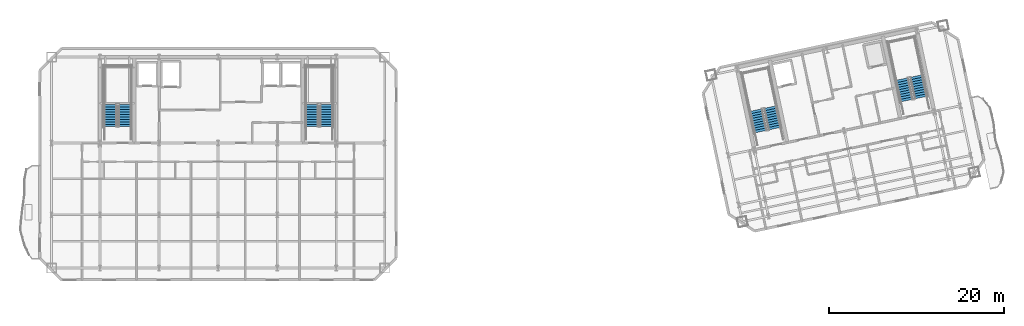
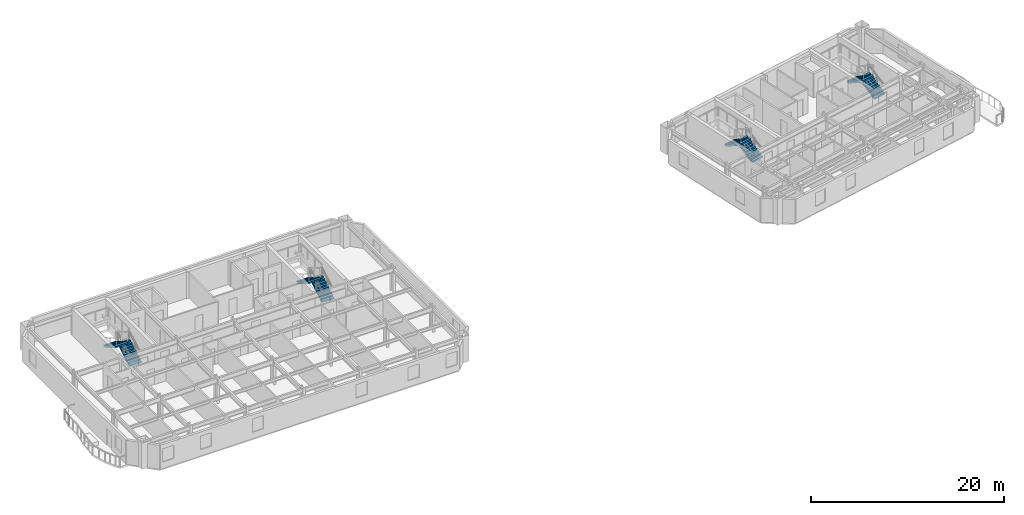
# One storey, part 9 of 14: 8 stair flights, 4 elements without a shape of their own.
"""IFC4 building model written with IfcOpenShell, lengths in metres."""

from ifc_helpers import new_model, si_unit, direction, frame, origin, place, context, subcontext, project, spatial, polyline, outline, extrude, material, type_object, element, aggregate, save


model = new_model("IFC4")

# Units and contexts
model_context = context("Model", 3, precision=1e-05, world=origin(), true_north=direction((0.0, 1.0)))
body_context = subcontext(model_context, "Body", "Model", "MODEL_VIEW")
ifc_project = project(units=[si_unit("LENGTHUNIT", "METRE"), si_unit("AREAUNIT", "SQUARE_METRE"), si_unit("VOLUMEUNIT", "CUBIC_METRE"), si_unit("PLANEANGLEUNIT", "RADIAN"), si_unit("MASSUNIT", "GRAM", prefix="KILO")], contexts=[model_context])

# Site, building, storey
site_placement = place(None, origin())
site = spatial("IfcSite", under=ifc_project, at=site_placement, CompositionType="ELEMENT")
building_placement = place(site_placement, origin())
building = spatial("IfcBuilding", under=site, at=building_placement, Name="Haevon Station Towers", CompositionType="ELEMENT")
storey_placement = place(building_placement, frame((0.0, 0.0, 205.5)))
storey = spatial("IfcBuildingStorey", under=building, at=storey_placement, Name="L56", CompositionType="ELEMENT", Elevation=205.5)

# Stair, stair flights
ifc_material = material(Name="Concrete C40/50", Category="concrete")
stair_type = type_object("IfcStairType", Name="STR-DL1450", PredefinedType="USERDEFINED", material=ifc_material)
stair_1_placement = place(storey_placement, origin())
stair_1 = element("IfcStair", 1, at=stair_1_placement, inside=storey, type_object=stair_type, Name="L56 Escape Stair ST1", ObjectType="TWO_RETURN_STAIR", PredefinedType="USERDEFINED")
stair_flight_type = type_object("IfcStairFlightType", Name="STF-ST1450", PredefinedType="STRAIGHT", material=ifc_material)
stair_flight_1_placement = place(storey_placement, frame((26.85498046875, 40.050048828125, 0.0), z_axis=(0.0, 0.0, 1.0), x_axis=(0.0, 1.0, 0.0)))
stair_flight_1 = element("IfcStairFlight", 2, at=stair_flight_1_placement, type_object=stair_flight_type, Name="L56 ST1 Flight 1", NumberOfRisers=10, NumberOfTreads=9, PredefinedType="STRAIGHT", RiserHeight=0.165, TreadLength=0.28, context=body_context, shape_type="SweptSolid", body=[
    extrude(outline(polyline([(0.0, 0.0), (0.0, 0.1650390625), (0.280029296875, 0.1650390625), (0.280029296875, 0.330078125), (0.56005859375, 0.330078125), (0.56005859375, 0.4951171875), (0.840087890625, 0.4951171875), (0.840087890625, 0.659912109375), (1.1201171875, 0.659912109375), (1.1201171875, 0.824951171875), (1.39990234375, 0.824951171875), (1.39990234375, 0.989990234375), (1.679931640625, 0.989990234375), (1.679931640625, 1.155029296875), (1.9599609375, 1.155029296875), (1.9599609375, 1.320068359375), (2.239990234375, 1.320068359375), (2.239990234375, 1.485107421875), (2.52001953125, 1.485107421875), (2.52001953125, 1.64990234375), (2.52001953125, 1.29931640625), (0.31494140625, 0.0), (0.0, 0.0)])), frame((0.0, 0.72509765625, 0.0), z_axis=(0.0, -1.0, 0.0), x_axis=(1.0, 0.0, 0.0)), (0.0, 0.0, 1.0), 1.449951171875),
])
stair_flight_2_placement = place(storey_placement, frame((25.205078125, 42.570068359375, 1.64990234375), z_axis=(0.0, 0.0, 1.0), x_axis=(0.0, -1.0, 0.0)))
stair_flight_2 = element("IfcStairFlight", 3, at=stair_flight_2_placement, type_object=stair_flight_type, Name="L56 ST1 Flight 2", NumberOfRisers=10, NumberOfTreads=9, PredefinedType="STRAIGHT", RiserHeight=0.165, TreadLength=0.28, context=body_context, shape_type="SweptSolid", body=[
    extrude(outline(polyline([(0.0, 0.0), (0.0, 0.1650390625), (0.280029296875, 0.1650390625), (0.280029296875, 0.330078125), (0.56005859375, 0.330078125), (0.56005859375, 0.4951171875), (0.840087890625, 0.4951171875), (0.840087890625, 0.659912109375), (1.1201171875, 0.659912109375), (1.1201171875, 0.824951171875), (1.39990234375, 0.824951171875), (1.39990234375, 0.989990234375), (1.679931640625, 0.989990234375), (1.679931640625, 1.155029296875), (1.9599609375, 1.155029296875), (1.9599609375, 1.320068359375), (2.239990234375, 1.320068359375), (2.239990234375, 1.485107421875), (2.52001953125, 1.485107421875), (2.52001953125, 1.64990234375), (2.52001953125, 1.29931640625), (0.31494140625, 0.0), (0.0, 0.0)])), frame((0.0, 0.72509765625, 0.0), z_axis=(0.0, -1.0, 0.0), x_axis=(1.0, 0.0, 0.0)), (0.0, 0.0, 1.0), 1.449951171875),
])
aggregate(stair_1, [stair_flight_1, stair_flight_2])

stair_2_placement = place(storey_placement, origin())
stair_2 = element("IfcStair", 4, at=stair_2_placement, inside=storey, type_object=stair_type, Name="L56 Escape Stair ST2", ObjectType="TWO_RETURN_STAIR", PredefinedType="USERDEFINED")
stair_flight_3_placement = place(storey_placement, frame((49.89501953125, 40.050048828125, 0.0), z_axis=(0.0, 0.0, 1.0), x_axis=(0.0, 1.0, 0.0)))
stair_flight_3 = element("IfcStairFlight", 5, at=stair_flight_3_placement, type_object=stair_flight_type, Name="L56 ST2 Flight 1", NumberOfRisers=10, NumberOfTreads=9, PredefinedType="STRAIGHT", RiserHeight=0.165, TreadLength=0.28, context=body_context, shape_type="SweptSolid", body=[
    extrude(outline(polyline([(0.0, 0.0), (0.0, 0.1650390625), (0.280029296875, 0.1650390625), (0.280029296875, 0.330078125), (0.56005859375, 0.330078125), (0.56005859375, 0.4951171875), (0.840087890625, 0.4951171875), (0.840087890625, 0.659912109375), (1.1201171875, 0.659912109375), (1.1201171875, 0.824951171875), (1.39990234375, 0.824951171875), (1.39990234375, 0.989990234375), (1.679931640625, 0.989990234375), (1.679931640625, 1.155029296875), (1.9599609375, 1.155029296875), (1.9599609375, 1.320068359375), (2.239990234375, 1.320068359375), (2.239990234375, 1.485107421875), (2.52001953125, 1.485107421875), (2.52001953125, 1.64990234375), (2.52001953125, 1.29931640625), (0.31494140625, 0.0), (0.0, 0.0)])), frame((0.0, 0.72509765625, 0.0), z_axis=(0.0, -1.0, 0.0), x_axis=(1.0, 0.0, 0.0)), (0.0, 0.0, 1.0), 1.449951171875),
])
stair_flight_4_placement = place(storey_placement, frame((48.2451171875, 42.570068359375, 1.64990234375), z_axis=(0.0, 0.0, 1.0), x_axis=(0.0, -1.0, 0.0)))
stair_flight_4 = element("IfcStairFlight", 6, at=stair_flight_4_placement, type_object=stair_flight_type, Name="L56 ST2 Flight 2", NumberOfRisers=10, NumberOfTreads=9, PredefinedType="STRAIGHT", RiserHeight=0.165, TreadLength=0.28, context=body_context, shape_type="SweptSolid", body=[
    extrude(outline(polyline([(0.0, 0.0), (0.0, 0.1650390625), (0.280029296875, 0.1650390625), (0.280029296875, 0.330078125), (0.56005859375, 0.330078125), (0.56005859375, 0.4951171875), (0.840087890625, 0.4951171875), (0.840087890625, 0.659912109375), (1.1201171875, 0.659912109375), (1.1201171875, 0.824951171875), (1.39990234375, 0.824951171875), (1.39990234375, 0.989990234375), (1.679931640625, 0.989990234375), (1.679931640625, 1.155029296875), (1.9599609375, 1.155029296875), (1.9599609375, 1.320068359375), (2.239990234375, 1.320068359375), (2.239990234375, 1.485107421875), (2.52001953125, 1.485107421875), (2.52001953125, 1.64990234375), (2.52001953125, 1.29931640625), (0.31494140625, 0.0), (0.0, 0.0)])), frame((0.0, 0.72509765625, 0.0), z_axis=(0.0, -1.0, 0.0), x_axis=(1.0, 0.0, 0.0)), (0.0, 0.0, 1.0), 1.449951171875),
])
aggregate(stair_2, [stair_flight_3, stair_flight_4])

stair_3_placement = place(storey_placement, origin())
stair_3 = element("IfcStair", 7, at=stair_3_placement, inside=storey, type_object=stair_type, Name="L56 Escape Stair ST3", ObjectType="TWO_RETURN_STAIR", PredefinedType="USERDEFINED")
stair_flight_5_placement = place(storey_placement, frame((101.1015625, 39.8330078125, 0.0), z_axis=(0.0, 0.0, 1.0), x_axis=(-0.207911690818, 0.978147600734, 0.0)))
stair_flight_5 = element("IfcStairFlight", 8, at=stair_flight_5_placement, type_object=stair_flight_type, Name="L56 ST3 Flight 1", NumberOfRisers=10, NumberOfTreads=9, PredefinedType="STRAIGHT", RiserHeight=0.165, TreadLength=0.28, context=body_context, shape_type="SweptSolid", body=[
    extrude(outline(polyline([(0.0, 0.0), (0.0, 0.1650390625), (0.280029296875, 0.1650390625), (0.280029296875, 0.330078125), (0.56005859375, 0.330078125), (0.56005859375, 0.4951171875), (0.840087890625, 0.4951171875), (0.840087890625, 0.659912109375), (1.1201171875, 0.659912109375), (1.1201171875, 0.824951171875), (1.39990234375, 0.824951171875), (1.39990234375, 0.989990234375), (1.679931640625, 0.989990234375), (1.679931640625, 1.155029296875), (1.9599609375, 1.155029296875), (1.9599609375, 1.320068359375), (2.239990234375, 1.320068359375), (2.239990234375, 1.485107421875), (2.52001953125, 1.485107421875), (2.52001953125, 1.64990234375), (2.52001953125, 1.29931640625), (0.31494140625, 0.0), (0.0, 0.0)])), frame((0.0, 0.72509765625, 0.0), z_axis=(0.0, -1.0, 0.0), x_axis=(1.0, 0.0, 0.0)), (0.0, 0.0, 1.0), 1.449951171875),
])
stair_flight_6_placement = place(storey_placement, frame((98.9638671875, 41.955078125, 1.64990234375), z_axis=(0.0, 0.0, 1.0), x_axis=(0.207911690818, -0.978147600734, 0.0)))
stair_flight_6 = element("IfcStairFlight", 9, at=stair_flight_6_placement, type_object=stair_flight_type, Name="L56 ST3 Flight 2", NumberOfRisers=10, NumberOfTreads=9, PredefinedType="STRAIGHT", RiserHeight=0.165, TreadLength=0.28, context=body_context, shape_type="SweptSolid", body=[
    extrude(outline(polyline([(0.0, 0.0), (0.0, 0.1650390625), (0.280029296875, 0.1650390625), (0.280029296875, 0.330078125), (0.56005859375, 0.330078125), (0.56005859375, 0.4951171875), (0.840087890625, 0.4951171875), (0.840087890625, 0.659912109375), (1.1201171875, 0.659912109375), (1.1201171875, 0.824951171875), (1.39990234375, 0.824951171875), (1.39990234375, 0.989990234375), (1.679931640625, 0.989990234375), (1.679931640625, 1.155029296875), (1.9599609375, 1.155029296875), (1.9599609375, 1.320068359375), (2.239990234375, 1.320068359375), (2.239990234375, 1.485107421875), (2.52001953125, 1.485107421875), (2.52001953125, 1.64990234375), (2.52001953125, 1.29931640625), (0.31494140625, 0.0), (0.0, 0.0)])), frame((0.0, 0.72509765625, 0.0), z_axis=(0.0, -1.0, 0.0), x_axis=(1.0, 0.0, 0.0)), (0.0, 0.0, 1.0), 1.449951171875),
])
aggregate(stair_3, [stair_flight_5, stair_flight_6])

stair_4_placement = place(storey_placement, origin())
stair_4 = element("IfcStair", 10, at=stair_4_placement, inside=storey, type_object=stair_type, Name="L56 Escape Stair ST4", ObjectType="TWO_RETURN_STAIR", PredefinedType="USERDEFINED")
stair_flight_7_placement = place(storey_placement, frame((117.788818359375, 43.380126953125, 0.0), z_axis=(0.0, 0.0, 1.0), x_axis=(-0.207911690818, 0.978147600734, 0.0)))
stair_flight_7 = element("IfcStairFlight", 11, at=stair_flight_7_placement, type_object=stair_flight_type, Name="L56 ST4 Flight 1", NumberOfRisers=10, NumberOfTreads=9, PredefinedType="STRAIGHT", RiserHeight=0.165, TreadLength=0.28, context=body_context, shape_type="SweptSolid", body=[
    extrude(outline(polyline([(0.0, 0.0), (0.0, 0.1650390625), (0.280029296875, 0.1650390625), (0.280029296875, 0.330078125), (0.56005859375, 0.330078125), (0.56005859375, 0.4951171875), (0.840087890625, 0.4951171875), (0.840087890625, 0.659912109375), (1.1201171875, 0.659912109375), (1.1201171875, 0.824951171875), (1.39990234375, 0.824951171875), (1.39990234375, 0.989990234375), (1.679931640625, 0.989990234375), (1.679931640625, 1.155029296875), (1.9599609375, 1.155029296875), (1.9599609375, 1.320068359375), (2.239990234375, 1.320068359375), (2.239990234375, 1.485107421875), (2.52001953125, 1.485107421875), (2.52001953125, 1.64990234375), (2.52001953125, 1.29931640625), (0.31494140625, 0.0), (0.0, 0.0)])), frame((0.0, 0.72509765625, 0.0), z_axis=(0.0, -1.0, 0.0), x_axis=(1.0, 0.0, 0.0)), (0.0, 0.0, 1.0), 1.449951171875),
])
stair_flight_8_placement = place(storey_placement, frame((115.65087890625, 45.501953125, 1.64990234375), z_axis=(0.0, 0.0, 1.0), x_axis=(0.207911690818, -0.978147600734, 0.0)))
stair_flight_8 = element("IfcStairFlight", 12, at=stair_flight_8_placement, type_object=stair_flight_type, Name="L56 ST4 Flight 2", NumberOfRisers=10, NumberOfTreads=9, PredefinedType="STRAIGHT", RiserHeight=0.165, TreadLength=0.28, context=body_context, shape_type="SweptSolid", body=[
    extrude(outline(polyline([(0.0, 0.0), (0.0, 0.1650390625), (0.280029296875, 0.1650390625), (0.280029296875, 0.330078125), (0.56005859375, 0.330078125), (0.56005859375, 0.4951171875), (0.840087890625, 0.4951171875), (0.840087890625, 0.659912109375), (1.1201171875, 0.659912109375), (1.1201171875, 0.824951171875), (1.39990234375, 0.824951171875), (1.39990234375, 0.989990234375), (1.679931640625, 0.989990234375), (1.679931640625, 1.155029296875), (1.9599609375, 1.155029296875), (1.9599609375, 1.320068359375), (2.239990234375, 1.320068359375), (2.239990234375, 1.485107421875), (2.52001953125, 1.485107421875), (2.52001953125, 1.64990234375), (2.52001953125, 1.29931640625), (0.31494140625, 0.0), (0.0, 0.0)])), frame((0.0, 0.72509765625, 0.0), z_axis=(0.0, -1.0, 0.0), x_axis=(1.0, 0.0, 0.0)), (0.0, 0.0, 1.0), 1.449951171875),
])
aggregate(stair_4, [stair_flight_7, stair_flight_8])

save(model, "model.ifc")
